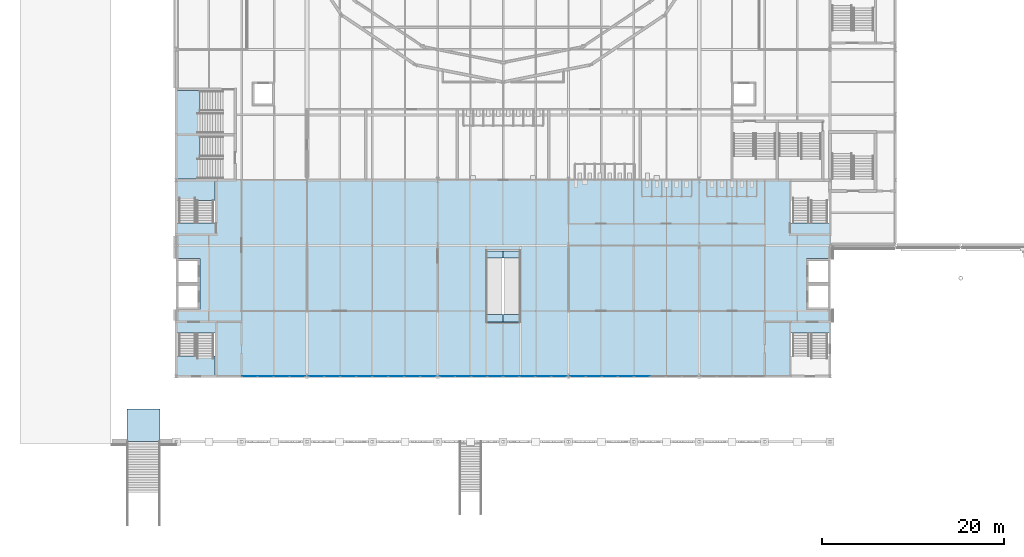
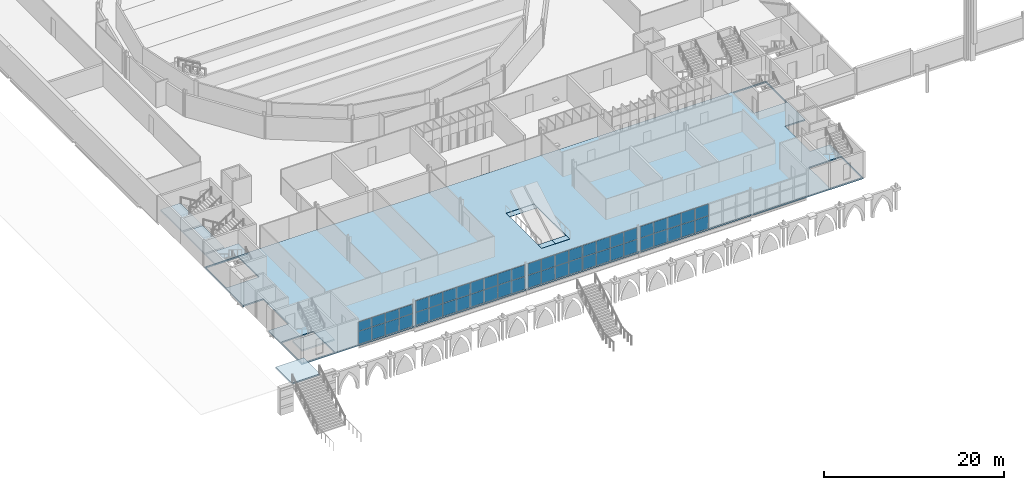
# One storey, part 42 of 90: 54 plates, 6 slabs, 12 elements without a shape of their own.
"""IFC4 building model written with IfcOpenShell, lengths in metres."""

from ifc_helpers import new_model, si_unit, direction, frame, origin, origin_2d, place, context, subcontext, project, spatial, polyline, rectangle, outline, extrude, material, layer, layer_set, type_object, element, aggregate, save


model = new_model("IFC4")

# Units and contexts
model_context = context("Model", 3, precision=1e-05, world=origin(), true_north=direction((0.0, 1.0)))
body_context = subcontext(model_context, "Body", "Model", "MODEL_VIEW")
ifc_project = project(units=[si_unit("LENGTHUNIT", "METRE"), si_unit("AREAUNIT", "SQUARE_METRE"), si_unit("VOLUMEUNIT", "CUBIC_METRE"), si_unit("PLANEANGLEUNIT", "RADIAN"), si_unit("MASSUNIT", "GRAM", prefix="KILO")], contexts=[model_context])

# Site, building, storey
site_placement = place(None, origin())
site = spatial("IfcSite", under=ifc_project, at=site_placement, CompositionType="ELEMENT")
building_placement = place(site_placement, origin())
building = spatial("IfcBuilding", under=site, at=building_placement, Name="Kupolbacken Congress Centre", CompositionType="ELEMENT")
storey_placement = place(building_placement, frame((0.0, 0.0, 3.60009765625)))
storey = spatial("IfcBuildingStorey", under=building, at=storey_placement, Name="L01", CompositionType="ELEMENT", Elevation=3.60009765625)

# Plates
ifc_material_1 = material(Name="Steel S355", Category="steel")
ifc_layer_1 = layer(ifc_material_1, 0.0400390625)
ifc_layer_set_1 = layer_set([ifc_layer_1], Name="Steel S355")
plate_type_1 = type_object("IfcPlateType", Name="EP1 escalator comb plate 40", PredefinedType="SHEET", material=ifc_layer_set_1)
plate_1_placement = place(storey_placement, frame((0.0, 0.0, -0.0400390625)))
element("IfcPlate", 1, at=plate_1_placement, inside=storey, type_object=plate_type_1, Name="Escalator comb plate", PredefinedType="SHEET", context=body_context, shape_type="SweptSolid", body=[
    extrude(outline(polyline([(41.39990234375, 41.817626953125), (43.199951171875, 41.817626953125), (43.199951171875, 42.61767578125), (41.39990234375, 42.61767578125), (41.39990234375, 41.817626953125)])), origin(), (0.0, 0.0, 1.0), 0.0400390625),
])
plate_2_placement = place(storey_placement, frame((0.0, 0.0, -0.0400390625)))
element("IfcPlate", 2, at=plate_2_placement, inside=storey, type_object=plate_type_1, Name="Escalator comb plate", PredefinedType="SHEET", context=body_context, shape_type="SweptSolid", body=[
    extrude(outline(polyline([(43.199951171875, 41.817626953125), (45.0, 41.817626953125), (45.0, 42.61767578125), (43.199951171875, 42.61767578125), (43.199951171875, 41.817626953125)])), origin(), (0.0, 0.0, 1.0), 0.0400390625),
])
plate_3_placement = place(storey_placement, frame((0.0, 0.0, -0.0400390625)))
element("IfcPlate", 3, at=plate_3_placement, inside=storey, type_object=plate_type_1, Name="Escalator comb plate", PredefinedType="SHEET", context=body_context, shape_type="SweptSolid", body=[
    extrude(outline(polyline([(41.39990234375, 34.7822265625), (43.199951171875, 34.7822265625), (43.199951171875, 35.582275390625), (41.39990234375, 35.582275390625), (41.39990234375, 34.7822265625)])), origin(), (0.0, 0.0, 1.0), 0.0400390625),
])
plate_4_placement = place(storey_placement, frame((0.0, 0.0, -0.0400390625)))
element("IfcPlate", 4, at=plate_4_placement, inside=storey, type_object=plate_type_1, Name="Escalator comb plate", PredefinedType="SHEET", context=body_context, shape_type="SweptSolid", body=[
    extrude(outline(polyline([(43.199951171875, 34.7822265625), (45.0, 34.7822265625), (45.0, 35.582275390625), (43.199951171875, 35.582275390625), (43.199951171875, 34.7822265625)])), origin(), (0.0, 0.0, 1.0), 0.0400390625),
])

# Slab
ifc_material_2 = material(Name="Concrete C30/37", Category="concrete")
ifc_layer_2 = layer(ifc_material_2, 0.1201171875)
ifc_material_3 = material(Name="Steel S350 profiled deck", Category="steel")
ifc_layer_3 = layer(ifc_material_3, 0.06005859375)
ifc_layer_set_2 = layer_set([ifc_layer_2, ifc_layer_3], Name="Concrete C30/37 / Steel S350 profiled deck")
slab_type_1 = type_object("IfcSlabType", Name="FS3 slab 180", PredefinedType="FLOOR", material=ifc_layer_set_2)
slab_1_placement = place(storey_placement, frame((0.0, 0.0, -0.18017578125)))
element("IfcSlab", 5, at=slab_1_placement, inside=storey, type_object=slab_type_1, Name="S/floor/F/L01/slab/slab", PredefinedType="FLOOR", context=body_context, shape_type="SweptSolid", body=[
    extrude(outline(polyline([(79.199462890625, 28.800537109375), (79.199462890625, 36.1494140625), (76.599609375, 36.1494140625), (76.599609375, 41.75048828125), (79.199462890625, 41.75048828125), (79.199462890625, 50.3994140625), (7.200439453125, 50.3994140625), (7.200439453125, 41.75048828125), (9.800537109375, 41.75048828125), (9.800537109375, 36.1494140625), (7.200439453125, 36.1494140625), (7.200439453125, 28.800537109375), (79.199462890625, 28.800537109375)]), holes=[polyline([(79.075439453125, 33.54052734375), (79.075439453125, 28.924560546875), (74.924560546875, 28.924560546875), (74.924560546875, 33.54052734375), (79.075439453125, 33.54052734375)]), polyline([(79.075439453125, 45.659423828125), (74.924560546875, 45.659423828125), (74.924560546875, 50.275390625), (79.075439453125, 50.275390625), (79.075439453125, 45.659423828125)]), polyline([(41.3994140625, 34.76171875), (41.3994140625, 42.63818359375), (45.00048828125, 42.63818359375), (45.00048828125, 34.76171875), (41.3994140625, 34.76171875)]), polyline([(7.324462890625, 33.54052734375), (11.4755859375, 33.54052734375), (11.4755859375, 28.924560546875), (7.324462890625, 28.924560546875), (7.324462890625, 33.54052734375)]), polyline([(11.4755859375, 45.659423828125), (7.324462890625, 45.659423828125), (7.324462890625, 50.275390625), (11.4755859375, 50.275390625), (11.4755859375, 45.659423828125)])]), origin(), (0.0, 0.0, 1.0), 0.18017578125),
])

# Curtain wall, plates
ifc_material_4 = material(Name="Aluminium mullion-transom frame with glass", Category="aluminium")
curtain_wall_type = type_object("IfcCurtainWallType", Name="CW1 curtain wall 7200x3600", PredefinedType="NOTDEFINED", material=ifc_material_4)
curtain_wall_1_placement = place(storey_placement, origin())
curtain_wall_1 = element("IfcCurtainWall", 6, at=curtain_wall_1_placement, inside=storey, type_object=curtain_wall_type, Name="E/F/S/L01/137", PredefinedType="NOTDEFINED")
ifc_material_5 = material(Name="Glass", Category="glass")
ifc_layer_4 = layer(ifc_material_5, 0.035888671875)
ifc_layer_set_3 = layer_set([ifc_layer_4], Name="Glass")
plate_type_2 = type_object("IfcPlateType", Name="GL2 glass panel 36", PredefinedType="CURTAIN_PANEL", material=ifc_layer_set_3)
plate_5_placement = place(storey_placement, frame((15.293701171875, 28.800048828125, 0.0498046875), z_axis=(0.0, 0.0, 1.0), x_axis=(1.0, 0.0, 0.0)))
plate_5 = element("IfcPlate", 7, at=plate_5_placement, type_object=plate_type_2, Name="CW1 panel 1.1", PredefinedType="CURTAIN_PANEL", context=body_context, shape_type="SweptSolid", body=[
    extrude(rectangle(XDim=1.6875, YDim=0.035888671875, at=origin_2d()), origin(), (0.0, 0.0, 1.0), 1.72509765625),
])
plate_6_placement = place(storey_placement, frame((15.293701171875, 28.800048828125, 1.824951171875), z_axis=(0.0, 0.0, 1.0), x_axis=(1.0, 0.0, 0.0)))
plate_6 = element("IfcPlate", 8, at=plate_6_placement, type_object=plate_type_2, Name="CW1 panel 1.2", PredefinedType="CURTAIN_PANEL", context=body_context, shape_type="SweptSolid", body=[
    extrude(rectangle(XDim=1.6875, YDim=0.035888671875, at=origin_2d()), origin(), (0.0, 0.0, 1.0), 1.2451171875),
])
plate_7_placement = place(storey_placement, frame((17.043701171875, 28.800048828125, 0.0498046875), z_axis=(0.0, 0.0, 1.0), x_axis=(1.0, 0.0, 0.0)))
plate_7 = element("IfcPlate", 9, at=plate_7_placement, type_object=plate_type_2, Name="CW1 panel 2.1", PredefinedType="CURTAIN_PANEL", context=body_context, shape_type="SweptSolid", body=[
    extrude(rectangle(XDim=1.71240234375, YDim=0.035888671875, at=origin_2d()), origin(), (0.0, 0.0, 1.0), 1.72509765625),
])
plate_8_placement = place(storey_placement, frame((17.043701171875, 28.800048828125, 1.824951171875), z_axis=(0.0, 0.0, 1.0), x_axis=(1.0, 0.0, 0.0)))
plate_8 = element("IfcPlate", 10, at=plate_8_placement, type_object=plate_type_2, Name="CW1 panel 2.2", PredefinedType="CURTAIN_PANEL", context=body_context, shape_type="SweptSolid", body=[
    extrude(rectangle(XDim=1.71240234375, YDim=0.035888671875, at=origin_2d()), origin(), (0.0, 0.0, 1.0), 1.2451171875),
])
plate_9_placement = place(storey_placement, frame((18.80615234375, 28.800048828125, 0.0498046875), z_axis=(0.0, 0.0, 1.0), x_axis=(1.0, 0.0, 0.0)))
plate_9 = element("IfcPlate", 11, at=plate_9_placement, type_object=plate_type_2, Name="CW1 panel 3.1", PredefinedType="CURTAIN_PANEL", context=body_context, shape_type="SweptSolid", body=[
    extrude(rectangle(XDim=1.71240234375, YDim=0.035888671875, at=origin_2d()), origin(), (0.0, 0.0, 1.0), 1.72509765625),
])
plate_10_placement = place(storey_placement, frame((18.80615234375, 28.800048828125, 1.824951171875), z_axis=(0.0, 0.0, 1.0), x_axis=(1.0, 0.0, 0.0)))
plate_10 = element("IfcPlate", 12, at=plate_10_placement, type_object=plate_type_2, Name="CW1 panel 3.2", PredefinedType="CURTAIN_PANEL", context=body_context, shape_type="SweptSolid", body=[
    extrude(rectangle(XDim=1.71240234375, YDim=0.035888671875, at=origin_2d()), origin(), (0.0, 0.0, 1.0), 1.2451171875),
])
plate_11_placement = place(storey_placement, frame((20.55615234375, 28.800048828125, 0.0498046875), z_axis=(0.0, 0.0, 1.0), x_axis=(1.0, 0.0, 0.0)))
plate_11 = element("IfcPlate", 13, at=plate_11_placement, type_object=plate_type_2, Name="CW1 panel 4.1", PredefinedType="CURTAIN_PANEL", context=body_context, shape_type="SweptSolid", body=[
    extrude(rectangle(XDim=1.6875, YDim=0.035888671875, at=origin_2d()), origin(), (0.0, 0.0, 1.0), 1.72509765625),
])
plate_12_placement = place(storey_placement, frame((20.55615234375, 28.800048828125, 1.824951171875), z_axis=(0.0, 0.0, 1.0), x_axis=(1.0, 0.0, 0.0)))
plate_12 = element("IfcPlate", 14, at=plate_12_placement, type_object=plate_type_2, Name="CW1 panel 4.2", PredefinedType="CURTAIN_PANEL", context=body_context, shape_type="SweptSolid", body=[
    extrude(rectangle(XDim=1.6875, YDim=0.035888671875, at=origin_2d()), origin(), (0.0, 0.0, 1.0), 1.2451171875),
])
aggregate(curtain_wall_1, [plate_5, plate_6, plate_7, plate_8, plate_9, plate_10, plate_11, plate_12])

curtain_wall_2_placement = place(storey_placement, origin())
curtain_wall_2 = element("IfcCurtainWall", 15, at=curtain_wall_2_placement, inside=storey, type_object=curtain_wall_type, Name="E/F/S/L01/138", PredefinedType="NOTDEFINED")
plate_13_placement = place(storey_placement, frame((22.643798828125, 28.800048828125, 0.0498046875), z_axis=(0.0, 0.0, 1.0), x_axis=(1.0, 0.0, 0.0)))
plate_13 = element("IfcPlate", 16, at=plate_13_placement, type_object=plate_type_2, Name="CW1 panel 1.1", PredefinedType="CURTAIN_PANEL", context=body_context, shape_type="SweptSolid", body=[
    extrude(rectangle(XDim=1.6875, YDim=0.035888671875, at=origin_2d()), origin(), (0.0, 0.0, 1.0), 1.72509765625),
])
plate_14_placement = place(storey_placement, frame((22.643798828125, 28.800048828125, 1.824951171875), z_axis=(0.0, 0.0, 1.0), x_axis=(1.0, 0.0, 0.0)))
plate_14 = element("IfcPlate", 17, at=plate_14_placement, type_object=plate_type_2, Name="CW1 panel 1.2", PredefinedType="CURTAIN_PANEL", context=body_context, shape_type="SweptSolid", body=[
    extrude(rectangle(XDim=1.6875, YDim=0.035888671875, at=origin_2d()), origin(), (0.0, 0.0, 1.0), 1.544921875),
])
plate_15_placement = place(storey_placement, frame((24.393798828125, 28.800048828125, 0.0498046875), z_axis=(0.0, 0.0, 1.0), x_axis=(1.0, 0.0, 0.0)))
plate_15 = element("IfcPlate", 18, at=plate_15_placement, type_object=plate_type_2, Name="CW1 panel 2.1", PredefinedType="CURTAIN_PANEL", context=body_context, shape_type="SweptSolid", body=[
    extrude(rectangle(XDim=1.71240234375, YDim=0.035888671875, at=origin_2d()), origin(), (0.0, 0.0, 1.0), 1.72509765625),
])
plate_16_placement = place(storey_placement, frame((24.393798828125, 28.800048828125, 1.824951171875), z_axis=(0.0, 0.0, 1.0), x_axis=(1.0, 0.0, 0.0)))
plate_16 = element("IfcPlate", 19, at=plate_16_placement, type_object=plate_type_2, Name="CW1 panel 2.2", PredefinedType="CURTAIN_PANEL", context=body_context, shape_type="SweptSolid", body=[
    extrude(rectangle(XDim=1.71240234375, YDim=0.035888671875, at=origin_2d()), origin(), (0.0, 0.0, 1.0), 1.544921875),
])
plate_17_placement = place(storey_placement, frame((26.15625, 28.800048828125, 0.0498046875), z_axis=(0.0, 0.0, 1.0), x_axis=(1.0, 0.0, 0.0)))
plate_17 = element("IfcPlate", 20, at=plate_17_placement, type_object=plate_type_2, Name="CW1 panel 3.1", PredefinedType="CURTAIN_PANEL", context=body_context, shape_type="SweptSolid", body=[
    extrude(rectangle(XDim=1.71240234375, YDim=0.035888671875, at=origin_2d()), origin(), (0.0, 0.0, 1.0), 1.72509765625),
])
plate_18_placement = place(storey_placement, frame((26.15625, 28.800048828125, 1.824951171875), z_axis=(0.0, 0.0, 1.0), x_axis=(1.0, 0.0, 0.0)))
plate_18 = element("IfcPlate", 21, at=plate_18_placement, type_object=plate_type_2, Name="CW1 panel 3.2", PredefinedType="CURTAIN_PANEL", context=body_context, shape_type="SweptSolid", body=[
    extrude(rectangle(XDim=1.71240234375, YDim=0.035888671875, at=origin_2d()), origin(), (0.0, 0.0, 1.0), 1.544921875),
])
plate_19_placement = place(storey_placement, frame((27.90625, 28.800048828125, 0.0498046875), z_axis=(0.0, 0.0, 1.0), x_axis=(1.0, 0.0, 0.0)))
plate_19 = element("IfcPlate", 22, at=plate_19_placement, type_object=plate_type_2, Name="CW1 panel 4.1", PredefinedType="CURTAIN_PANEL", context=body_context, shape_type="SweptSolid", body=[
    extrude(rectangle(XDim=1.6875, YDim=0.035888671875, at=origin_2d()), origin(), (0.0, 0.0, 1.0), 1.72509765625),
])
plate_20_placement = place(storey_placement, frame((27.90625, 28.800048828125, 1.824951171875), z_axis=(0.0, 0.0, 1.0), x_axis=(1.0, 0.0, 0.0)))
plate_20 = element("IfcPlate", 23, at=plate_20_placement, type_object=plate_type_2, Name="CW1 panel 4.2", PredefinedType="CURTAIN_PANEL", context=body_context, shape_type="SweptSolid", body=[
    extrude(rectangle(XDim=1.6875, YDim=0.035888671875, at=origin_2d()), origin(), (0.0, 0.0, 1.0), 1.544921875),
])
aggregate(curtain_wall_2, [plate_13, plate_14, plate_15, plate_16, plate_17, plate_18, plate_19, plate_20])

curtain_wall_3_placement = place(storey_placement, origin())
curtain_wall_3 = element("IfcCurtainWall", 24, at=curtain_wall_3_placement, inside=storey, type_object=curtain_wall_type, Name="E/F/S/L01/139", PredefinedType="NOTDEFINED")
plate_21_placement = place(storey_placement, frame((29.69384765625, 28.800048828125, 0.0498046875), z_axis=(0.0, 0.0, 1.0), x_axis=(1.0, 0.0, 0.0)))
plate_21 = element("IfcPlate", 25, at=plate_21_placement, type_object=plate_type_2, Name="CW1 panel 1.1", PredefinedType="CURTAIN_PANEL", context=body_context, shape_type="SweptSolid", body=[
    extrude(rectangle(XDim=1.6875, YDim=0.035888671875, at=origin_2d()), origin(), (0.0, 0.0, 1.0), 1.72509765625),
])
plate_22_placement = place(storey_placement, frame((29.69384765625, 28.800048828125, 1.824951171875), z_axis=(0.0, 0.0, 1.0), x_axis=(1.0, 0.0, 0.0)))
plate_22 = element("IfcPlate", 26, at=plate_22_placement, type_object=plate_type_2, Name="CW1 panel 1.2", PredefinedType="CURTAIN_PANEL", context=body_context, shape_type="SweptSolid", body=[
    extrude(rectangle(XDim=1.6875, YDim=0.035888671875, at=origin_2d()), origin(), (0.0, 0.0, 1.0), 1.544921875),
])
plate_23_placement = place(storey_placement, frame((31.44384765625, 28.800048828125, 0.0498046875), z_axis=(0.0, 0.0, 1.0), x_axis=(1.0, 0.0, 0.0)))
plate_23 = element("IfcPlate", 27, at=plate_23_placement, type_object=plate_type_2, Name="CW1 panel 2.1", PredefinedType="CURTAIN_PANEL", context=body_context, shape_type="SweptSolid", body=[
    extrude(rectangle(XDim=1.71240234375, YDim=0.035888671875, at=origin_2d()), origin(), (0.0, 0.0, 1.0), 1.72509765625),
])
plate_24_placement = place(storey_placement, frame((31.44384765625, 28.800048828125, 1.824951171875), z_axis=(0.0, 0.0, 1.0), x_axis=(1.0, 0.0, 0.0)))
plate_24 = element("IfcPlate", 28, at=plate_24_placement, type_object=plate_type_2, Name="CW1 panel 2.2", PredefinedType="CURTAIN_PANEL", context=body_context, shape_type="SweptSolid", body=[
    extrude(rectangle(XDim=1.71240234375, YDim=0.035888671875, at=origin_2d()), origin(), (0.0, 0.0, 1.0), 1.544921875),
])
plate_25_placement = place(storey_placement, frame((33.206298828125, 28.800048828125, 0.0498046875), z_axis=(0.0, 0.0, 1.0), x_axis=(1.0, 0.0, 0.0)))
plate_25 = element("IfcPlate", 29, at=plate_25_placement, type_object=plate_type_2, Name="CW1 panel 3.1", PredefinedType="CURTAIN_PANEL", context=body_context, shape_type="SweptSolid", body=[
    extrude(rectangle(XDim=1.71240234375, YDim=0.035888671875, at=origin_2d()), origin(), (0.0, 0.0, 1.0), 1.72509765625),
])
plate_26_placement = place(storey_placement, frame((33.206298828125, 28.800048828125, 1.824951171875), z_axis=(0.0, 0.0, 1.0), x_axis=(1.0, 0.0, 0.0)))
plate_26 = element("IfcPlate", 30, at=plate_26_placement, type_object=plate_type_2, Name="CW1 panel 3.2", PredefinedType="CURTAIN_PANEL", context=body_context, shape_type="SweptSolid", body=[
    extrude(rectangle(XDim=1.71240234375, YDim=0.035888671875, at=origin_2d()), origin(), (0.0, 0.0, 1.0), 1.544921875),
])
plate_27_placement = place(storey_placement, frame((34.956298828125, 28.800048828125, 0.0498046875), z_axis=(0.0, 0.0, 1.0), x_axis=(1.0, 0.0, 0.0)))
plate_27 = element("IfcPlate", 31, at=plate_27_placement, type_object=plate_type_2, Name="CW1 panel 4.1", PredefinedType="CURTAIN_PANEL", context=body_context, shape_type="SweptSolid", body=[
    extrude(rectangle(XDim=1.6875, YDim=0.035888671875, at=origin_2d()), origin(), (0.0, 0.0, 1.0), 1.72509765625),
])
plate_28_placement = place(storey_placement, frame((34.956298828125, 28.800048828125, 1.824951171875), z_axis=(0.0, 0.0, 1.0), x_axis=(1.0, 0.0, 0.0)))
plate_28 = element("IfcPlate", 32, at=plate_28_placement, type_object=plate_type_2, Name="CW1 panel 4.2", PredefinedType="CURTAIN_PANEL", context=body_context, shape_type="SweptSolid", body=[
    extrude(rectangle(XDim=1.6875, YDim=0.035888671875, at=origin_2d()), origin(), (0.0, 0.0, 1.0), 1.544921875),
])
aggregate(curtain_wall_3, [plate_21, plate_22, plate_23, plate_24, plate_25, plate_26, plate_27, plate_28])

curtain_wall_4_placement = place(storey_placement, origin())
curtain_wall_4 = element("IfcCurtainWall", 33, at=curtain_wall_4_placement, inside=storey, type_object=curtain_wall_type, Name="E/F/S/L01/140", PredefinedType="NOTDEFINED")
plate_29_placement = place(storey_placement, frame((37.043701171875, 28.800048828125, 0.0498046875), z_axis=(0.0, 0.0, 1.0), x_axis=(1.0, 0.0, 0.0)))
plate_29 = element("IfcPlate", 34, at=plate_29_placement, type_object=plate_type_2, Name="CW1 panel 1.1", PredefinedType="CURTAIN_PANEL", context=body_context, shape_type="SweptSolid", body=[
    extrude(rectangle(XDim=1.6875, YDim=0.035888671875, at=origin_2d()), origin(), (0.0, 0.0, 1.0), 1.72509765625),
])
plate_30_placement = place(storey_placement, frame((37.043701171875, 28.800048828125, 1.824951171875), z_axis=(0.0, 0.0, 1.0), x_axis=(1.0, 0.0, 0.0)))
plate_30 = element("IfcPlate", 35, at=plate_30_placement, type_object=plate_type_2, Name="CW1 panel 1.2", PredefinedType="CURTAIN_PANEL", context=body_context, shape_type="SweptSolid", body=[
    extrude(rectangle(XDim=1.6875, YDim=0.035888671875, at=origin_2d()), origin(), (0.0, 0.0, 1.0), 1.544921875),
])
plate_31_placement = place(storey_placement, frame((38.793701171875, 28.800048828125, 0.0498046875), z_axis=(0.0, 0.0, 1.0), x_axis=(1.0, 0.0, 0.0)))
plate_31 = element("IfcPlate", 36, at=plate_31_placement, type_object=plate_type_2, Name="CW1 panel 2.1", PredefinedType="CURTAIN_PANEL", context=body_context, shape_type="SweptSolid", body=[
    extrude(rectangle(XDim=1.71240234375, YDim=0.035888671875, at=origin_2d()), origin(), (0.0, 0.0, 1.0), 1.72509765625),
])
plate_32_placement = place(storey_placement, frame((38.793701171875, 28.800048828125, 1.824951171875), z_axis=(0.0, 0.0, 1.0), x_axis=(1.0, 0.0, 0.0)))
plate_32 = element("IfcPlate", 37, at=plate_32_placement, type_object=plate_type_2, Name="CW1 panel 2.2", PredefinedType="CURTAIN_PANEL", context=body_context, shape_type="SweptSolid", body=[
    extrude(rectangle(XDim=1.71240234375, YDim=0.035888671875, at=origin_2d()), origin(), (0.0, 0.0, 1.0), 1.544921875),
])
plate_33_placement = place(storey_placement, frame((40.55615234375, 28.800048828125, 0.0498046875), z_axis=(0.0, 0.0, 1.0), x_axis=(1.0, 0.0, 0.0)))
plate_33 = element("IfcPlate", 38, at=plate_33_placement, type_object=plate_type_2, Name="CW1 panel 3.1", PredefinedType="CURTAIN_PANEL", context=body_context, shape_type="SweptSolid", body=[
    extrude(rectangle(XDim=1.71240234375, YDim=0.035888671875, at=origin_2d()), origin(), (0.0, 0.0, 1.0), 1.72509765625),
])
plate_34_placement = place(storey_placement, frame((40.55615234375, 28.800048828125, 1.824951171875), z_axis=(0.0, 0.0, 1.0), x_axis=(1.0, 0.0, 0.0)))
plate_34 = element("IfcPlate", 39, at=plate_34_placement, type_object=plate_type_2, Name="CW1 panel 3.2", PredefinedType="CURTAIN_PANEL", context=body_context, shape_type="SweptSolid", body=[
    extrude(rectangle(XDim=1.71240234375, YDim=0.035888671875, at=origin_2d()), origin(), (0.0, 0.0, 1.0), 1.544921875),
])
plate_35_placement = place(storey_placement, frame((42.30615234375, 28.800048828125, 0.0498046875), z_axis=(0.0, 0.0, 1.0), x_axis=(1.0, 0.0, 0.0)))
plate_35 = element("IfcPlate", 40, at=plate_35_placement, type_object=plate_type_2, Name="CW1 panel 4.1", PredefinedType="CURTAIN_PANEL", context=body_context, shape_type="SweptSolid", body=[
    extrude(rectangle(XDim=1.6875, YDim=0.035888671875, at=origin_2d()), origin(), (0.0, 0.0, 1.0), 1.72509765625),
])
plate_36_placement = place(storey_placement, frame((42.30615234375, 28.800048828125, 1.824951171875), z_axis=(0.0, 0.0, 1.0), x_axis=(1.0, 0.0, 0.0)))
plate_36 = element("IfcPlate", 41, at=plate_36_placement, type_object=plate_type_2, Name="CW1 panel 4.2", PredefinedType="CURTAIN_PANEL", context=body_context, shape_type="SweptSolid", body=[
    extrude(rectangle(XDim=1.6875, YDim=0.035888671875, at=origin_2d()), origin(), (0.0, 0.0, 1.0), 1.544921875),
])
aggregate(curtain_wall_4, [plate_29, plate_30, plate_31, plate_32, plate_33, plate_34, plate_35, plate_36])

curtain_wall_5_placement = place(storey_placement, origin())
curtain_wall_5 = element("IfcCurtainWall", 42, at=curtain_wall_5_placement, inside=storey, type_object=curtain_wall_type, Name="E/F/S/L01/141", PredefinedType="NOTDEFINED")
plate_37_placement = place(storey_placement, frame((44.09375, 28.800048828125, 0.0498046875), z_axis=(0.0, 0.0, 1.0), x_axis=(1.0, 0.0, 0.0)))
plate_37 = element("IfcPlate", 43, at=plate_37_placement, type_object=plate_type_2, Name="CW1 panel 1.1", PredefinedType="CURTAIN_PANEL", context=body_context, shape_type="SweptSolid", body=[
    extrude(rectangle(XDim=1.6875, YDim=0.035888671875, at=origin_2d()), origin(), (0.0, 0.0, 1.0), 1.72509765625),
])
plate_38_placement = place(storey_placement, frame((44.09375, 28.800048828125, 1.824951171875), z_axis=(0.0, 0.0, 1.0), x_axis=(1.0, 0.0, 0.0)))
plate_38 = element("IfcPlate", 44, at=plate_38_placement, type_object=plate_type_2, Name="CW1 panel 1.2", PredefinedType="CURTAIN_PANEL", context=body_context, shape_type="SweptSolid", body=[
    extrude(rectangle(XDim=1.6875, YDim=0.035888671875, at=origin_2d()), origin(), (0.0, 0.0, 1.0), 1.544921875),
])
plate_39_placement = place(storey_placement, frame((45.84375, 28.800048828125, 0.0498046875), z_axis=(0.0, 0.0, 1.0), x_axis=(1.0, 0.0, 0.0)))
plate_39 = element("IfcPlate", 45, at=plate_39_placement, type_object=plate_type_2, Name="CW1 panel 2.1", PredefinedType="CURTAIN_PANEL", context=body_context, shape_type="SweptSolid", body=[
    extrude(rectangle(XDim=1.71240234375, YDim=0.035888671875, at=origin_2d()), origin(), (0.0, 0.0, 1.0), 1.72509765625),
])
plate_40_placement = place(storey_placement, frame((45.84375, 28.800048828125, 1.824951171875), z_axis=(0.0, 0.0, 1.0), x_axis=(1.0, 0.0, 0.0)))
plate_40 = element("IfcPlate", 46, at=plate_40_placement, type_object=plate_type_2, Name="CW1 panel 2.2", PredefinedType="CURTAIN_PANEL", context=body_context, shape_type="SweptSolid", body=[
    extrude(rectangle(XDim=1.71240234375, YDim=0.035888671875, at=origin_2d()), origin(), (0.0, 0.0, 1.0), 1.544921875),
])
plate_41_placement = place(storey_placement, frame((47.606201171875, 28.800048828125, 0.0498046875), z_axis=(0.0, 0.0, 1.0), x_axis=(1.0, 0.0, 0.0)))
plate_41 = element("IfcPlate", 47, at=plate_41_placement, type_object=plate_type_2, Name="CW1 panel 3.1", PredefinedType="CURTAIN_PANEL", context=body_context, shape_type="SweptSolid", body=[
    extrude(rectangle(XDim=1.71240234375, YDim=0.035888671875, at=origin_2d()), origin(), (0.0, 0.0, 1.0), 1.72509765625),
])
plate_42_placement = place(storey_placement, frame((47.606201171875, 28.800048828125, 1.824951171875), z_axis=(0.0, 0.0, 1.0), x_axis=(1.0, 0.0, 0.0)))
plate_42 = element("IfcPlate", 48, at=plate_42_placement, type_object=plate_type_2, Name="CW1 panel 3.2", PredefinedType="CURTAIN_PANEL", context=body_context, shape_type="SweptSolid", body=[
    extrude(rectangle(XDim=1.71240234375, YDim=0.035888671875, at=origin_2d()), origin(), (0.0, 0.0, 1.0), 1.544921875),
])
plate_43_placement = place(storey_placement, frame((49.356201171875, 28.800048828125, 0.0498046875), z_axis=(0.0, 0.0, 1.0), x_axis=(1.0, 0.0, 0.0)))
plate_43 = element("IfcPlate", 49, at=plate_43_placement, type_object=plate_type_2, Name="CW1 panel 4.1", PredefinedType="CURTAIN_PANEL", context=body_context, shape_type="SweptSolid", body=[
    extrude(rectangle(XDim=1.6875, YDim=0.035888671875, at=origin_2d()), origin(), (0.0, 0.0, 1.0), 1.72509765625),
])
plate_44_placement = place(storey_placement, frame((49.356201171875, 28.800048828125, 1.824951171875), z_axis=(0.0, 0.0, 1.0), x_axis=(1.0, 0.0, 0.0)))
plate_44 = element("IfcPlate", 50, at=plate_44_placement, type_object=plate_type_2, Name="CW1 panel 4.2", PredefinedType="CURTAIN_PANEL", context=body_context, shape_type="SweptSolid", body=[
    extrude(rectangle(XDim=1.6875, YDim=0.035888671875, at=origin_2d()), origin(), (0.0, 0.0, 1.0), 1.544921875),
])
aggregate(curtain_wall_5, [plate_37, plate_38, plate_39, plate_40, plate_41, plate_42, plate_43, plate_44])

curtain_wall_6_placement = place(storey_placement, origin())
curtain_wall_6 = element("IfcCurtainWall", 51, at=curtain_wall_6_placement, inside=storey, type_object=curtain_wall_type, Name="E/F/S/L01/142", PredefinedType="NOTDEFINED")
plate_45_placement = place(storey_placement, frame((51.44384765625, 28.800048828125, 0.0498046875), z_axis=(0.0, 0.0, 1.0), x_axis=(1.0, 0.0, 0.0)))
plate_45 = element("IfcPlate", 52, at=plate_45_placement, type_object=plate_type_2, Name="CW1 panel 1.1", PredefinedType="CURTAIN_PANEL", context=body_context, shape_type="SweptSolid", body=[
    extrude(rectangle(XDim=1.6875, YDim=0.035888671875, at=origin_2d()), origin(), (0.0, 0.0, 1.0), 1.72509765625),
])
plate_46_placement = place(storey_placement, frame((51.44384765625, 28.800048828125, 1.824951171875), z_axis=(0.0, 0.0, 1.0), x_axis=(1.0, 0.0, 0.0)))
plate_46 = element("IfcPlate", 53, at=plate_46_placement, type_object=plate_type_2, Name="CW1 panel 1.2", PredefinedType="CURTAIN_PANEL", context=body_context, shape_type="SweptSolid", body=[
    extrude(rectangle(XDim=1.6875, YDim=0.035888671875, at=origin_2d()), origin(), (0.0, 0.0, 1.0), 1.544921875),
])
plate_47_placement = place(storey_placement, frame((53.19384765625, 28.800048828125, 0.0498046875), z_axis=(0.0, 0.0, 1.0), x_axis=(1.0, 0.0, 0.0)))
plate_47 = element("IfcPlate", 54, at=plate_47_placement, type_object=plate_type_2, Name="CW1 panel 2.1", PredefinedType="CURTAIN_PANEL", context=body_context, shape_type="SweptSolid", body=[
    extrude(rectangle(XDim=1.71240234375, YDim=0.035888671875, at=origin_2d()), origin(), (0.0, 0.0, 1.0), 1.72509765625),
])
plate_48_placement = place(storey_placement, frame((53.19384765625, 28.800048828125, 1.824951171875), z_axis=(0.0, 0.0, 1.0), x_axis=(1.0, 0.0, 0.0)))
plate_48 = element("IfcPlate", 55, at=plate_48_placement, type_object=plate_type_2, Name="CW1 panel 2.2", PredefinedType="CURTAIN_PANEL", context=body_context, shape_type="SweptSolid", body=[
    extrude(rectangle(XDim=1.71240234375, YDim=0.035888671875, at=origin_2d()), origin(), (0.0, 0.0, 1.0), 1.544921875),
])
plate_49_placement = place(storey_placement, frame((54.956298828125, 28.800048828125, 0.0498046875), z_axis=(0.0, 0.0, 1.0), x_axis=(1.0, 0.0, 0.0)))
plate_49 = element("IfcPlate", 56, at=plate_49_placement, type_object=plate_type_2, Name="CW1 panel 3.1", PredefinedType="CURTAIN_PANEL", context=body_context, shape_type="SweptSolid", body=[
    extrude(rectangle(XDim=1.71240234375, YDim=0.035888671875, at=origin_2d()), origin(), (0.0, 0.0, 1.0), 1.72509765625),
])
plate_50_placement = place(storey_placement, frame((54.956298828125, 28.800048828125, 1.824951171875), z_axis=(0.0, 0.0, 1.0), x_axis=(1.0, 0.0, 0.0)))
plate_50 = element("IfcPlate", 57, at=plate_50_placement, type_object=plate_type_2, Name="CW1 panel 3.2", PredefinedType="CURTAIN_PANEL", context=body_context, shape_type="SweptSolid", body=[
    extrude(rectangle(XDim=1.71240234375, YDim=0.035888671875, at=origin_2d()), origin(), (0.0, 0.0, 1.0), 1.544921875),
])
plate_51_placement = place(storey_placement, frame((56.706298828125, 28.800048828125, 0.0498046875), z_axis=(0.0, 0.0, 1.0), x_axis=(1.0, 0.0, 0.0)))
plate_51 = element("IfcPlate", 58, at=plate_51_placement, type_object=plate_type_2, Name="CW1 panel 4.1", PredefinedType="CURTAIN_PANEL", context=body_context, shape_type="SweptSolid", body=[
    extrude(rectangle(XDim=1.6875, YDim=0.035888671875, at=origin_2d()), origin(), (0.0, 0.0, 1.0), 1.72509765625),
])
plate_52_placement = place(storey_placement, frame((56.706298828125, 28.800048828125, 1.824951171875), z_axis=(0.0, 0.0, 1.0), x_axis=(1.0, 0.0, 0.0)))
plate_52 = element("IfcPlate", 59, at=plate_52_placement, type_object=plate_type_2, Name="CW1 panel 4.2", PredefinedType="CURTAIN_PANEL", context=body_context, shape_type="SweptSolid", body=[
    extrude(rectangle(XDim=1.6875, YDim=0.035888671875, at=origin_2d()), origin(), (0.0, 0.0, 1.0), 1.544921875),
])
aggregate(curtain_wall_6, [plate_45, plate_46, plate_47, plate_48, plate_49, plate_50, plate_51, plate_52])

curtain_wall_7_placement = place(storey_placement, origin())
curtain_wall_7 = element("IfcCurtainWall", 60, at=curtain_wall_7_placement, inside=storey, type_object=curtain_wall_type, Name="E/F/S/L01/143", PredefinedType="NOTDEFINED")
plate_53_placement = place(storey_placement, frame((58.49365234375, 28.800048828125, 0.0498046875), z_axis=(0.0, 0.0, 1.0), x_axis=(1.0, 0.0, 0.0)))
plate_53 = element("IfcPlate", 61, at=plate_53_placement, type_object=plate_type_2, Name="CW1 panel 1.1", PredefinedType="CURTAIN_PANEL", context=body_context, shape_type="SweptSolid", body=[
    extrude(rectangle(XDim=1.6875, YDim=0.035888671875, at=origin_2d()), origin(), (0.0, 0.0, 1.0), 1.72509765625),
])
plate_54_placement = place(storey_placement, frame((58.49365234375, 28.800048828125, 1.824951171875), z_axis=(0.0, 0.0, 1.0), x_axis=(1.0, 0.0, 0.0)))
plate_54 = element("IfcPlate", 62, at=plate_54_placement, type_object=plate_type_2, Name="CW1 panel 1.2", PredefinedType="CURTAIN_PANEL", context=body_context, shape_type="SweptSolid", body=[
    extrude(rectangle(XDim=1.6875, YDim=0.035888671875, at=origin_2d()), origin(), (0.0, 0.0, 1.0), 1.544921875),
])
aggregate(curtain_wall_7, [plate_53, plate_54])

# Stair, slab
ifc_material_6 = material(Name="Steel S355", Category="steel")
stair_type_1 = type_object("IfcStairType", Name="ST3 stair 1800", PredefinedType="TWO_STRAIGHT_RUN_STAIR", material=ifc_material_6)
stair_1_placement = place(storey_placement, origin())
stair_1 = element("IfcStair", 63, at=stair_1_placement, inside=storey, type_object=stair_type_1, Name="C/stair/FS1W/L01", PredefinedType="NOTDEFINED")
ifc_layer_5 = layer(ifc_material_2, 0.175048828125)
ifc_material_7 = material(Name="Limestone", Category="masonry")
ifc_layer_6 = layer(ifc_material_7, 0.030029296875)
ifc_layer_set_4 = layer_set([ifc_layer_5, ifc_layer_6], Name="Concrete C30/37 / Limestone")
slab_type_2 = type_object("IfcSlabType", Name="SL2 slab 205", PredefinedType="LANDING", material=ifc_layer_set_4)
slab_2_placement = place(storey_placement, frame((0.0, 0.0, 1.50927734375)))
slab_2 = element("IfcSlab", 64, at=slab_2_placement, type_object=slab_type_2, Name="FS1W landing 1", PredefinedType="LANDING", context=body_context, shape_type="SweptSolid", body=[
    extrude(outline(polyline([(7.304931640625, 28.905029296875), (11.4951171875, 28.905029296875), (11.4951171875, 31.030029296875), (7.304931640625, 31.030029296875), (7.304931640625, 28.905029296875)])), origin(), (0.0, 0.0, 1.0), 0.204833984375),
])
aggregate(stair_1, [slab_2])

stair_2_placement = place(storey_placement, origin())
stair_2 = element("IfcStair", 65, at=stair_2_placement, inside=storey, type_object=stair_type_1, Name="C/stair/FS2W/L01", PredefinedType="NOTDEFINED")
slab_3_placement = place(storey_placement, frame((0.0, 0.0, 1.50927734375)))
slab_3 = element("IfcSlab", 66, at=slab_3_placement, type_object=slab_type_2, Name="FS2W landing 1", PredefinedType="LANDING", context=body_context, shape_type="SweptSolid", body=[
    extrude(outline(polyline([(7.304931640625, 48.169921875), (11.4951171875, 48.169921875), (11.4951171875, 50.294921875), (7.304931640625, 50.294921875), (7.304931640625, 48.169921875)])), origin(), (0.0, 0.0, 1.0), 0.204833984375),
])
aggregate(stair_2, [slab_3])

ifc_material_8 = material(Name="Concrete C30/37", Category="concrete")
stair_type_2 = type_object("IfcStairType", Name="ST13 stair 2200", PredefinedType="TWO_STRAIGHT_RUN_STAIR", material=ifc_material_8)
stair_3_placement = place(storey_placement, origin())
stair_3 = element("IfcStair", 67, at=stair_3_placement, inside=storey, type_object=stair_type_2, Name="C/stair/PS1SW/L01", PredefinedType="NOTDEFINED")
slab_4_placement = place(storey_placement, frame((0.0, 0.0, 1.50927734375)))
slab_4 = element("IfcSlab", 68, at=slab_4_placement, type_object=slab_type_2, Name="PS1SW landing 1", PredefinedType="LANDING", context=body_context, shape_type="SweptSolid", body=[
    extrude(outline(polyline([(7.304931640625, 50.5048828125), (9.830078125, 50.5048828125), (9.830078125, 55.294921875), (7.304931640625, 55.294921875), (7.304931640625, 50.5048828125)])), origin(), (0.0, 0.0, 1.0), 0.204833984375),
])
aggregate(stair_3, [slab_4])

stair_4_placement = place(storey_placement, origin())
stair_4 = element("IfcStair", 69, at=stair_4_placement, inside=storey, type_object=stair_type_2, Name="C/stair/PS2SW/L01", PredefinedType="NOTDEFINED")
slab_5_placement = place(storey_placement, frame((0.0, 0.0, 1.50927734375)))
slab_5 = element("IfcSlab", 70, at=slab_5_placement, type_object=slab_type_2, Name="PS2SW landing 1", PredefinedType="LANDING", context=body_context, shape_type="SweptSolid", body=[
    extrude(outline(polyline([(7.304931640625, 55.5048828125), (9.830078125, 55.5048828125), (9.830078125, 60.294921875), (7.304931640625, 60.294921875), (7.304931640625, 55.5048828125)])), origin(), (0.0, 0.0, 1.0), 0.204833984375),
])
aggregate(stair_4, [slab_5])

ifc_material_9 = material(Name="Concrete C30/37", Category="concrete")
stair_type_3 = type_object("IfcStairType", Name="XS1 external stair 3600", PredefinedType="STRAIGHT_RUN_STAIR", material=ifc_material_9)
stair_5_placement = place(storey_placement, origin())
stair_5 = element("IfcStair", 71, at=stair_5_placement, inside=storey, type_object=stair_type_3, Name="External stair XS1", PredefinedType="STRAIGHT_RUN_STAIR")
slab_6_placement = place(storey_placement, frame((0.0, 0.0, 3.39501953125)))
slab_6 = element("IfcSlab", 72, at=slab_6_placement, type_object=slab_type_2, Name="XS1 landing 1", PredefinedType="LANDING", context=body_context, shape_type="SweptSolid", body=[
    extrude(outline(polyline([(1.800048828125, 21.594970703125), (5.39990234375, 21.594970703125), (5.39990234375, 25.205078125), (1.800048828125, 25.205078125), (1.800048828125, 21.594970703125)])), origin(), (0.0, 0.0, 1.0), 0.204833984375),
])
aggregate(stair_5, [slab_6])

save(model, "model.ifc")
